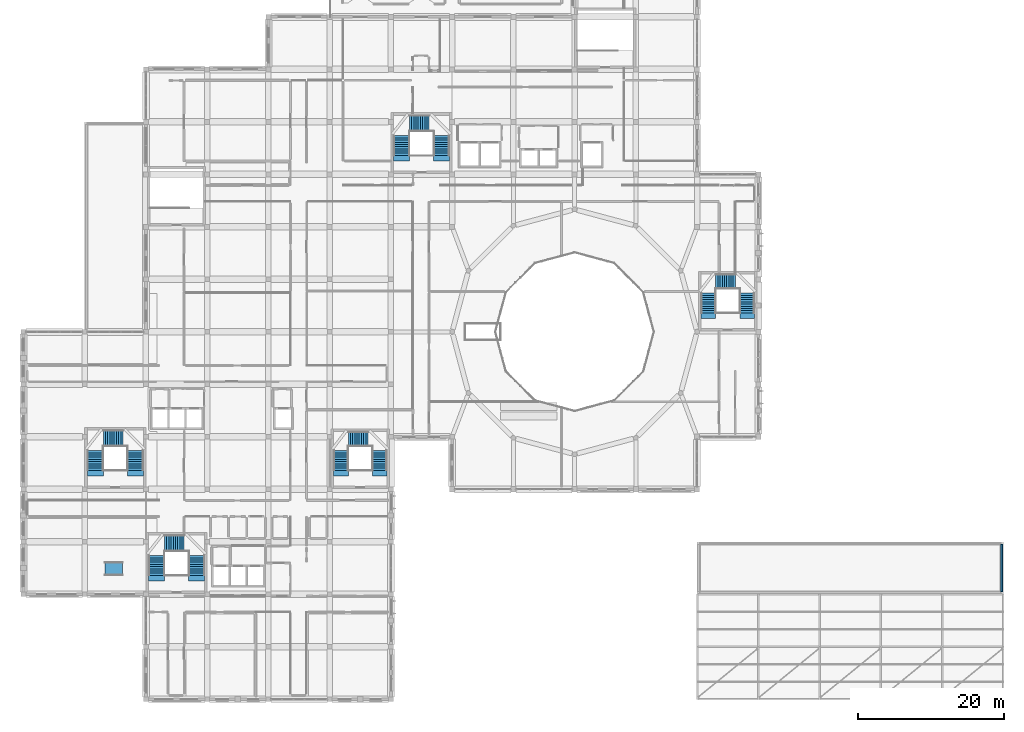
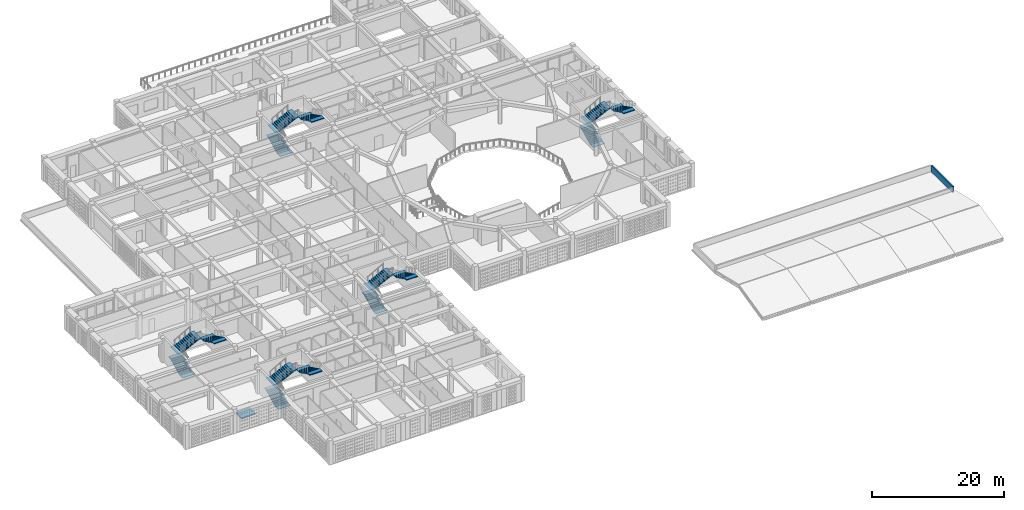
# One storey, part 51 of 79: 15 stair flights, 1 ramp flight, 1 wall, 6 elements without a shape of their own.
"""IFC4 building model written with IfcOpenShell, lengths in metres."""

from ifc_helpers import new_model, si_unit, derived_unit, direction, frame, frame_2d, origin, place, context, subcontext, project, spatial, polyline, rectangle, outline, extrude, material, layer, layer_set, type_object, element, aggregate, save


model = new_model("IFC4")

# Units and contexts
model_context = context("Model", 3, precision=1e-05, world=origin(), true_north=direction((0.0, 1.0)))
body_context = subcontext(model_context, "Body", "Model", "MODEL_VIEW")
ifc_project = project(units=[si_unit("LENGTHUNIT", "METRE"), si_unit("AREAUNIT", "SQUARE_METRE"), si_unit("VOLUMEUNIT", "CUBIC_METRE"), si_unit("PLANEANGLEUNIT", "RADIAN"), si_unit("MASSUNIT", "GRAM", prefix="KILO"), derived_unit("THERMALTRANSMITTANCEUNIT", [(si_unit("POWERUNIT", "WATT"), 1), (si_unit("LENGTHUNIT", "METRE"), -2), (si_unit("THERMODYNAMICTEMPERATUREUNIT", "KELVIN"), -1)])], contexts=[model_context])

# Site, building, storey
site_placement = place(None, origin())
site = spatial("IfcSite", under=ifc_project, at=site_placement, CompositionType="ELEMENT")
building_placement = place(site_placement, origin())
building = spatial("IfcBuilding", under=site, at=building_placement, Name="Veybourne Emporium", CompositionType="ELEMENT")
storey_placement = place(building_placement, frame((0.0, 0.0, 18.89990234375)))
storey = spatial("IfcBuildingStorey", under=building, at=storey_placement, Name="L04", CompositionType="ELEMENT", Elevation=18.89990234375)

# Wall
ifc_material_1 = material(Name="Precast concrete C40/50", Category="concrete")
ifc_layer_1 = layer(ifc_material_1, 0.239990234375)
ifc_layer_set_1 = layer_set([ifc_layer_1], Name="Precast concrete C40/50")
wall_type = type_object("IfcWallType", Name="ExtWall_PW-02", PredefinedType="PARAPET", material=ifc_layer_set_1)
wall_placement = place(storey_placement, frame((134.179931640625, 21.25, 0.0), z_axis=(0.0, 0.0, 1.0), x_axis=(0.0, -1.0, 0.0)))
element("IfcWall", 1, at=wall_placement, inside=storey, type_object=wall_type, Name="L04 roof parapet wall 001", PredefinedType="PARAPET", context=body_context, shape_type="SweptSolid", body=[
    extrude(rectangle(XDim=6.5, YDim=0.239990234375, at=frame_2d((3.25, 0.0))), origin(), (0.0, 0.0, 1.0), 1.150146484375),
])

# Stair, stair flights
ifc_material_2 = material(Name="Concrete C32/40", Category="concrete")
stair_type_1 = type_object("IfcStairType", Name="Stair_ST-05-R30", PredefinedType="TWO_QUARTER_TURN_STAIR", material=ifc_material_2)
stair_1_placement = place(storey_placement, origin())
stair_1 = element("IfcStair", 2, at=stair_1_placement, inside=storey, type_object=stair_type_1, Name="L04 stair ST-05", PredefinedType="TWO_QUARTER_TURN_STAIR")
stair_flight_type_1 = type_object("IfcStairFlightType", Name="Flight_FL-2000-R10", PredefinedType="STRAIGHT", material=ifc_material_2)
stair_flight_1_placement = place(storey_placement, frame((43.550048828125, 31.39990234375, 0.0), z_axis=(0.0, 0.0, 1.0), x_axis=(0.0, 1.0, 0.0)))
stair_flight_1 = element("IfcStairFlight", 3, at=stair_flight_1_placement, type_object=stair_flight_type_1, Name="ST-05-R30 flight 1", NumberOfRisers=10, NumberOfTreads=9, PredefinedType="STRAIGHT", RiserHeight=0.15, TreadLength=0.3, context=body_context, shape_type="SweptSolid", body=[
    extrude(outline(polyline([(-0.75, 0.0), (-0.75, 0.080078125), (-0.375, 0.080078125), (0.0, 0.080078125), (0.0, 0.14990234375), (0.300048828125, 0.14990234375), (0.300048828125, 0.300048828125), (0.60009765625, 0.300048828125), (0.60009765625, 0.449951171875), (0.89990234375, 0.449951171875), (0.89990234375, 0.60009765625), (1.199951171875, 0.60009765625), (1.199951171875, 0.75), (1.5, 0.75), (1.5, 0.89990234375), (1.800048828125, 0.89990234375), (1.800048828125, 1.050048828125), (2.10009765625, 1.050048828125), (2.10009765625, 1.199951171875), (2.39990234375, 1.199951171875), (2.39990234375, 1.35009765625), (2.699951171875, 1.35009765625), (2.699951171875, 1.5), (3.074951171875, 1.5), (3.449951171875, 1.5), (3.449951171875, 1.340087890625), (3.074951171875, 1.340087890625), (2.699951171875, 1.171142578125), (0.357666015625, 0.0), (-0.75, 0.0)])), frame((0.0, 1.0, 0.0), z_axis=(0.0, -1.0, 0.0), x_axis=(1.0, 0.0, 0.0)), (0.0, 0.0, 1.0), 2.0),
])
stair_flight_2_placement = place(storey_placement, frame((44.550048828125, 35.699951171875, 1.5), z_axis=(0.0, 0.0, 1.0), x_axis=(1.0, 0.0, 0.0)))
stair_flight_2 = element("IfcStairFlight", 4, at=stair_flight_2_placement, type_object=stair_flight_type_1, Name="ST-05-R30 flight 2", NumberOfRisers=10, NumberOfTreads=9, PredefinedType="STRAIGHT", RiserHeight=0.15, TreadLength=0.3, context=body_context, shape_type="SweptSolid", body=[
    extrude(outline(polyline([(-0.75, 0.0), (-0.75, 0.080078125), (-0.375, 0.080078125), (0.0, 0.080078125), (0.0, 0.14990234375), (0.300048828125, 0.14990234375), (0.300048828125, 0.300048828125), (0.60009765625, 0.300048828125), (0.60009765625, 0.449951171875), (0.89990234375, 0.449951171875), (0.89990234375, 0.60009765625), (1.199951171875, 0.60009765625), (1.199951171875, 0.75), (1.5, 0.75), (1.5, 0.89990234375), (1.800048828125, 0.89990234375), (1.800048828125, 1.050048828125), (2.10009765625, 1.050048828125), (2.10009765625, 1.199951171875), (2.39990234375, 1.199951171875), (2.39990234375, 1.35009765625), (2.699951171875, 1.35009765625), (2.699951171875, 1.5), (3.074951171875, 1.5), (3.449951171875, 1.5), (3.449951171875, 1.340087890625), (3.074951171875, 1.340087890625), (2.699951171875, 1.171142578125), (0.357666015625, 0.0), (-0.75, 0.0)])), frame((0.0, 1.0, 0.0), z_axis=(0.0, -1.0, 0.0), x_axis=(1.0, 0.0, 0.0)), (0.0, 0.0, 1.0), 2.0),
])
stair_flight_3_placement = place(storey_placement, frame((48.85009765625, 34.10009765625, 3.0), z_axis=(0.0, 0.0, 1.0), x_axis=(0.0, -1.0, 0.0)))
stair_flight_3 = element("IfcStairFlight", 5, at=stair_flight_3_placement, type_object=stair_flight_type_1, Name="ST-05-R30 flight 3", NumberOfRisers=10, NumberOfTreads=9, PredefinedType="STRAIGHT", RiserHeight=0.15, TreadLength=0.3, context=body_context, shape_type="SweptSolid", body=[
    extrude(outline(polyline([(-0.75, 0.0), (-0.75, 0.080078125), (-0.375, 0.080078125), (0.0, 0.080078125), (0.0, 0.14990234375), (0.300048828125, 0.14990234375), (0.300048828125, 0.300048828125), (0.60009765625, 0.300048828125), (0.60009765625, 0.449951171875), (0.89990234375, 0.449951171875), (0.89990234375, 0.60009765625), (1.199951171875, 0.60009765625), (1.199951171875, 0.75), (1.5, 0.75), (1.5, 0.89990234375), (1.800048828125, 0.89990234375), (1.800048828125, 1.050048828125), (2.10009765625, 1.050048828125), (2.10009765625, 1.199951171875), (2.39990234375, 1.199951171875), (2.39990234375, 1.35009765625), (2.699951171875, 1.35009765625), (2.699951171875, 1.5), (3.074951171875, 1.5), (3.449951171875, 1.5), (3.449951171875, 1.340087890625), (3.074951171875, 1.340087890625), (2.699951171875, 1.171142578125), (0.357666015625, 0.0), (-0.75, 0.0)])), frame((0.0, 1.0, 0.0), z_axis=(0.0, -1.0, 0.0), x_axis=(1.0, 0.0, 0.0)), (0.0, 0.0, 1.0), 2.0),
])
aggregate(stair_1, [stair_flight_1, stair_flight_2, stair_flight_3])

stair_type_2 = type_object("IfcStairType", Name="Stair_ST-07-R30", PredefinedType="TWO_QUARTER_TURN_STAIR", material=ifc_material_2)
stair_2_placement = place(storey_placement, origin())
stair_2 = element("IfcStair", 6, at=stair_2_placement, inside=storey, type_object=stair_type_2, Name="L04 stair ST-07", PredefinedType="TWO_QUARTER_TURN_STAIR")
stair_flight_4_placement = place(storey_placement, frame((93.949951171875, 53.0, 0.0), z_axis=(0.0, 0.0, 1.0), x_axis=(0.0, 1.0, 0.0)))
stair_flight_4 = element("IfcStairFlight", 7, at=stair_flight_4_placement, type_object=stair_flight_type_1, Name="ST-07-R30 flight 1", NumberOfRisers=10, NumberOfTreads=9, PredefinedType="STRAIGHT", RiserHeight=0.15, TreadLength=0.3, context=body_context, shape_type="SweptSolid", body=[
    extrude(outline(polyline([(-0.75, 0.0), (-0.75, 0.080078125), (-0.375, 0.080078125), (0.0, 0.080078125), (0.0, 0.14990234375), (0.300048828125, 0.14990234375), (0.300048828125, 0.300048828125), (0.60009765625, 0.300048828125), (0.60009765625, 0.449951171875), (0.89990234375, 0.449951171875), (0.89990234375, 0.60009765625), (1.199951171875, 0.60009765625), (1.199951171875, 0.75), (1.5, 0.75), (1.5, 0.89990234375), (1.800048828125, 0.89990234375), (1.800048828125, 1.050048828125), (2.10009765625, 1.050048828125), (2.10009765625, 1.199951171875), (2.39990234375, 1.199951171875), (2.39990234375, 1.35009765625), (2.699951171875, 1.35009765625), (2.699951171875, 1.5), (3.074951171875, 1.5), (3.449951171875, 1.5), (3.449951171875, 1.340087890625), (3.074951171875, 1.340087890625), (2.699951171875, 1.171142578125), (0.357666015625, 0.0), (-0.75, 0.0)])), frame((0.0, 1.0, 0.0), z_axis=(0.0, -1.0, 0.0), x_axis=(1.0, 0.0, 0.0)), (0.0, 0.0, 1.0), 2.0),
])
stair_flight_5_placement = place(storey_placement, frame((94.949951171875, 57.300048828125, 1.5), z_axis=(0.0, 0.0, 1.0), x_axis=(1.0, 0.0, 0.0)))
stair_flight_5 = element("IfcStairFlight", 8, at=stair_flight_5_placement, type_object=stair_flight_type_1, Name="ST-07-R30 flight 2", NumberOfRisers=10, NumberOfTreads=9, PredefinedType="STRAIGHT", RiserHeight=0.15, TreadLength=0.3, context=body_context, shape_type="SweptSolid", body=[
    extrude(outline(polyline([(-0.75, 0.0), (-0.75, 0.080078125), (-0.375, 0.080078125), (0.0, 0.080078125), (0.0, 0.14990234375), (0.300048828125, 0.14990234375), (0.300048828125, 0.300048828125), (0.60009765625, 0.300048828125), (0.60009765625, 0.449951171875), (0.89990234375, 0.449951171875), (0.89990234375, 0.60009765625), (1.199951171875, 0.60009765625), (1.199951171875, 0.75), (1.5, 0.75), (1.5, 0.89990234375), (1.800048828125, 0.89990234375), (1.800048828125, 1.050048828125), (2.10009765625, 1.050048828125), (2.10009765625, 1.199951171875), (2.39990234375, 1.199951171875), (2.39990234375, 1.35009765625), (2.699951171875, 1.35009765625), (2.699951171875, 1.5), (3.074951171875, 1.5), (3.449951171875, 1.5), (3.449951171875, 1.340087890625), (3.074951171875, 1.340087890625), (2.699951171875, 1.171142578125), (0.357666015625, 0.0), (-0.75, 0.0)])), frame((0.0, 1.0, 0.0), z_axis=(0.0, -1.0, 0.0), x_axis=(1.0, 0.0, 0.0)), (0.0, 0.0, 1.0), 2.0),
])
stair_flight_6_placement = place(storey_placement, frame((99.25, 55.699951171875, 3.0), z_axis=(0.0, 0.0, 1.0), x_axis=(0.0, -1.0, 0.0)))
stair_flight_6 = element("IfcStairFlight", 9, at=stair_flight_6_placement, type_object=stair_flight_type_1, Name="ST-07-R30 flight 3", NumberOfRisers=10, NumberOfTreads=9, PredefinedType="STRAIGHT", RiserHeight=0.15, TreadLength=0.3, context=body_context, shape_type="SweptSolid", body=[
    extrude(outline(polyline([(-0.75, 0.0), (-0.75, 0.080078125), (-0.375, 0.080078125), (0.0, 0.080078125), (0.0, 0.14990234375), (0.300048828125, 0.14990234375), (0.300048828125, 0.300048828125), (0.60009765625, 0.300048828125), (0.60009765625, 0.449951171875), (0.89990234375, 0.449951171875), (0.89990234375, 0.60009765625), (1.199951171875, 0.60009765625), (1.199951171875, 0.75), (1.5, 0.75), (1.5, 0.89990234375), (1.800048828125, 0.89990234375), (1.800048828125, 1.050048828125), (2.10009765625, 1.050048828125), (2.10009765625, 1.199951171875), (2.39990234375, 1.199951171875), (2.39990234375, 1.35009765625), (2.699951171875, 1.35009765625), (2.699951171875, 1.5), (3.074951171875, 1.5), (3.449951171875, 1.5), (3.449951171875, 1.340087890625), (3.074951171875, 1.340087890625), (2.699951171875, 1.171142578125), (0.357666015625, 0.0), (-0.75, 0.0)])), frame((0.0, 1.0, 0.0), z_axis=(0.0, -1.0, 0.0), x_axis=(1.0, 0.0, 0.0)), (0.0, 0.0, 1.0), 2.0),
])
aggregate(stair_2, [stair_flight_4, stair_flight_5, stair_flight_6])

stair_type_3 = type_object("IfcStairType", Name="Stair_ST-01-R30", PredefinedType="TWO_QUARTER_TURN_STAIR", material=ifc_material_2)
stair_3_placement = place(storey_placement, origin())
stair_3 = element("IfcStair", 10, at=stair_3_placement, inside=storey, type_object=stair_type_3, Name="L04 stair ST-01", PredefinedType="TWO_QUARTER_TURN_STAIR")
stair_flight_type_2 = type_object("IfcStairFlightType", Name="Flight_FL-2200-R10", PredefinedType="STRAIGHT", material=ifc_material_2)
stair_flight_7_placement = place(storey_placement, frame((18.25, 17.0, 0.0), z_axis=(0.0, 0.0, 1.0), x_axis=(0.0, 1.0, 0.0)))
stair_flight_7 = element("IfcStairFlight", 11, at=stair_flight_7_placement, type_object=stair_flight_type_2, Name="ST-01-R30 flight 1", NumberOfRisers=10, NumberOfTreads=9, PredefinedType="STRAIGHT", RiserHeight=0.15, TreadLength=0.3, context=body_context, shape_type="SweptSolid", body=[
    extrude(outline(polyline([(-0.75, 0.0), (-0.75, 0.080078125), (-0.375, 0.080078125), (0.0, 0.080078125), (0.0, 0.14990234375), (0.300048828125, 0.14990234375), (0.300048828125, 0.300048828125), (0.60009765625, 0.300048828125), (0.60009765625, 0.449951171875), (0.89990234375, 0.449951171875), (0.89990234375, 0.60009765625), (1.199951171875, 0.60009765625), (1.199951171875, 0.75), (1.5, 0.75), (1.5, 0.89990234375), (1.800048828125, 0.89990234375), (1.800048828125, 1.050048828125), (2.10009765625, 1.050048828125), (2.10009765625, 1.199951171875), (2.39990234375, 1.199951171875), (2.39990234375, 1.35009765625), (2.699951171875, 1.35009765625), (2.699951171875, 1.5), (3.074951171875, 1.5), (3.449951171875, 1.5), (3.449951171875, 1.340087890625), (3.074951171875, 1.340087890625), (2.699951171875, 1.171142578125), (0.357666015625, 0.0), (-0.75, 0.0)])), frame((0.0, 1.10009765625, 0.0), z_axis=(0.0, -1.0, 0.0), x_axis=(1.0, 0.0, 0.0)), (0.0, 0.0, 1.0), 2.199951171875),
])
stair_flight_8_placement = place(storey_placement, frame((19.35009765625, 21.39990234375, 1.5), z_axis=(0.0, 0.0, 1.0), x_axis=(1.0, 0.0, 0.0)))
stair_flight_8 = element("IfcStairFlight", 12, at=stair_flight_8_placement, type_object=stair_flight_type_2, Name="ST-01-R30 flight 2", NumberOfRisers=10, NumberOfTreads=9, PredefinedType="STRAIGHT", RiserHeight=0.15, TreadLength=0.3, context=body_context, shape_type="SweptSolid", body=[
    extrude(outline(polyline([(-0.75, 0.0), (-0.75, 0.080078125), (-0.375, 0.080078125), (0.0, 0.080078125), (0.0, 0.14990234375), (0.300048828125, 0.14990234375), (0.300048828125, 0.300048828125), (0.60009765625, 0.300048828125), (0.60009765625, 0.449951171875), (0.89990234375, 0.449951171875), (0.89990234375, 0.60009765625), (1.199951171875, 0.60009765625), (1.199951171875, 0.75), (1.5, 0.75), (1.5, 0.89990234375), (1.800048828125, 0.89990234375), (1.800048828125, 1.050048828125), (2.10009765625, 1.050048828125), (2.10009765625, 1.199951171875), (2.39990234375, 1.199951171875), (2.39990234375, 1.35009765625), (2.699951171875, 1.35009765625), (2.699951171875, 1.5), (3.074951171875, 1.5), (3.449951171875, 1.5), (3.449951171875, 1.340087890625), (3.074951171875, 1.340087890625), (2.699951171875, 1.171142578125), (0.357666015625, 0.0), (-0.75, 0.0)])), frame((0.0, 1.10009765625, 0.0), z_axis=(0.0, -1.0, 0.0), x_axis=(1.0, 0.0, 0.0)), (0.0, 0.0, 1.0), 2.199951171875),
])
stair_flight_9_placement = place(storey_placement, frame((23.75, 19.699951171875, 3.0), z_axis=(0.0, 0.0, 1.0), x_axis=(0.0, -1.0, 0.0)))
stair_flight_9 = element("IfcStairFlight", 13, at=stair_flight_9_placement, type_object=stair_flight_type_2, Name="ST-01-R30 flight 3", NumberOfRisers=10, NumberOfTreads=9, PredefinedType="STRAIGHT", RiserHeight=0.15, TreadLength=0.3, context=body_context, shape_type="SweptSolid", body=[
    extrude(outline(polyline([(-0.75, 0.0), (-0.75, 0.080078125), (-0.375, 0.080078125), (0.0, 0.080078125), (0.0, 0.14990234375), (0.300048828125, 0.14990234375), (0.300048828125, 0.300048828125), (0.60009765625, 0.300048828125), (0.60009765625, 0.449951171875), (0.89990234375, 0.449951171875), (0.89990234375, 0.60009765625), (1.199951171875, 0.60009765625), (1.199951171875, 0.75), (1.5, 0.75), (1.5, 0.89990234375), (1.800048828125, 0.89990234375), (1.800048828125, 1.050048828125), (2.10009765625, 1.050048828125), (2.10009765625, 1.199951171875), (2.39990234375, 1.199951171875), (2.39990234375, 1.35009765625), (2.699951171875, 1.35009765625), (2.699951171875, 1.5), (3.074951171875, 1.5), (3.449951171875, 1.5), (3.449951171875, 1.340087890625), (3.074951171875, 1.340087890625), (2.699951171875, 1.171142578125), (0.357666015625, 0.0), (-0.75, 0.0)])), frame((0.0, 1.10009765625, 0.0), z_axis=(0.0, -1.0, 0.0), x_axis=(1.0, 0.0, 0.0)), (0.0, 0.0, 1.0), 2.199951171875),
])
aggregate(stair_3, [stair_flight_7, stair_flight_8, stair_flight_9])

stair_type_4 = type_object("IfcStairType", Name="Stair_ST-02-R30", PredefinedType="TWO_QUARTER_TURN_STAIR", material=ifc_material_2)
stair_4_placement = place(storey_placement, origin())
stair_4 = element("IfcStair", 14, at=stair_4_placement, inside=storey, type_object=stair_type_4, Name="L04 stair ST-02", PredefinedType="TWO_QUARTER_TURN_STAIR")
stair_flight_10_placement = place(storey_placement, frame((9.85009765625, 31.39990234375, 0.0), z_axis=(0.0, 0.0, 1.0), x_axis=(0.0, 1.0, 0.0)))
stair_flight_10 = element("IfcStairFlight", 15, at=stair_flight_10_placement, type_object=stair_flight_type_2, Name="ST-02-R30 flight 1", NumberOfRisers=10, NumberOfTreads=9, PredefinedType="STRAIGHT", RiserHeight=0.15, TreadLength=0.3, context=body_context, shape_type="SweptSolid", body=[
    extrude(outline(polyline([(-0.75, 0.0), (-0.75, 0.080078125), (-0.375, 0.080078125), (0.0, 0.080078125), (0.0, 0.14990234375), (0.300048828125, 0.14990234375), (0.300048828125, 0.300048828125), (0.60009765625, 0.300048828125), (0.60009765625, 0.449951171875), (0.89990234375, 0.449951171875), (0.89990234375, 0.60009765625), (1.199951171875, 0.60009765625), (1.199951171875, 0.75), (1.5, 0.75), (1.5, 0.89990234375), (1.800048828125, 0.89990234375), (1.800048828125, 1.050048828125), (2.10009765625, 1.050048828125), (2.10009765625, 1.199951171875), (2.39990234375, 1.199951171875), (2.39990234375, 1.35009765625), (2.699951171875, 1.35009765625), (2.699951171875, 1.5), (3.074951171875, 1.5), (3.449951171875, 1.5), (3.449951171875, 1.340087890625), (3.074951171875, 1.340087890625), (2.699951171875, 1.171142578125), (0.357666015625, 0.0), (-0.75, 0.0)])), frame((0.0, 1.10009765625, 0.0), z_axis=(0.0, -1.0, 0.0), x_axis=(1.0, 0.0, 0.0)), (0.0, 0.0, 1.0), 2.199951171875),
])
stair_flight_11_placement = place(storey_placement, frame((10.949951171875, 35.800048828125, 1.5), z_axis=(0.0, 0.0, 1.0), x_axis=(1.0, 0.0, 0.0)))
stair_flight_11 = element("IfcStairFlight", 16, at=stair_flight_11_placement, type_object=stair_flight_type_2, Name="ST-02-R30 flight 2", NumberOfRisers=10, NumberOfTreads=9, PredefinedType="STRAIGHT", RiserHeight=0.15, TreadLength=0.3, context=body_context, shape_type="SweptSolid", body=[
    extrude(outline(polyline([(-0.75, 0.0), (-0.75, 0.080078125), (-0.375, 0.080078125), (0.0, 0.080078125), (0.0, 0.14990234375), (0.300048828125, 0.14990234375), (0.300048828125, 0.300048828125), (0.60009765625, 0.300048828125), (0.60009765625, 0.449951171875), (0.89990234375, 0.449951171875), (0.89990234375, 0.60009765625), (1.199951171875, 0.60009765625), (1.199951171875, 0.75), (1.5, 0.75), (1.5, 0.89990234375), (1.800048828125, 0.89990234375), (1.800048828125, 1.050048828125), (2.10009765625, 1.050048828125), (2.10009765625, 1.199951171875), (2.39990234375, 1.199951171875), (2.39990234375, 1.35009765625), (2.699951171875, 1.35009765625), (2.699951171875, 1.5), (3.074951171875, 1.5), (3.449951171875, 1.5), (3.449951171875, 1.340087890625), (3.074951171875, 1.340087890625), (2.699951171875, 1.171142578125), (0.357666015625, 0.0), (-0.75, 0.0)])), frame((0.0, 1.10009765625, 0.0), z_axis=(0.0, -1.0, 0.0), x_axis=(1.0, 0.0, 0.0)), (0.0, 0.0, 1.0), 2.199951171875),
])
stair_flight_12_placement = place(storey_placement, frame((15.35009765625, 34.10009765625, 3.0), z_axis=(0.0, 0.0, 1.0), x_axis=(0.0, -1.0, 0.0)))
stair_flight_12 = element("IfcStairFlight", 17, at=stair_flight_12_placement, type_object=stair_flight_type_2, Name="ST-02-R30 flight 3", NumberOfRisers=10, NumberOfTreads=9, PredefinedType="STRAIGHT", RiserHeight=0.15, TreadLength=0.3, context=body_context, shape_type="SweptSolid", body=[
    extrude(outline(polyline([(-0.75, 0.0), (-0.75, 0.080078125), (-0.375, 0.080078125), (0.0, 0.080078125), (0.0, 0.14990234375), (0.300048828125, 0.14990234375), (0.300048828125, 0.300048828125), (0.60009765625, 0.300048828125), (0.60009765625, 0.449951171875), (0.89990234375, 0.449951171875), (0.89990234375, 0.60009765625), (1.199951171875, 0.60009765625), (1.199951171875, 0.75), (1.5, 0.75), (1.5, 0.89990234375), (1.800048828125, 0.89990234375), (1.800048828125, 1.050048828125), (2.10009765625, 1.050048828125), (2.10009765625, 1.199951171875), (2.39990234375, 1.199951171875), (2.39990234375, 1.35009765625), (2.699951171875, 1.35009765625), (2.699951171875, 1.5), (3.074951171875, 1.5), (3.449951171875, 1.5), (3.449951171875, 1.340087890625), (3.074951171875, 1.340087890625), (2.699951171875, 1.171142578125), (0.357666015625, 0.0), (-0.75, 0.0)])), frame((0.0, 1.10009765625, 0.0), z_axis=(0.0, -1.0, 0.0), x_axis=(1.0, 0.0, 0.0)), (0.0, 0.0, 1.0), 2.199951171875),
])
aggregate(stair_4, [stair_flight_10, stair_flight_11, stair_flight_12])

stair_type_5 = type_object("IfcStairType", Name="Stair_ST-03-R30", PredefinedType="TWO_QUARTER_TURN_STAIR", material=ifc_material_2)
stair_5_placement = place(storey_placement, origin())
stair_5 = element("IfcStair", 18, at=stair_5_placement, inside=storey, type_object=stair_type_5, Name="L04 stair ST-03", PredefinedType="TWO_QUARTER_TURN_STAIR")
stair_flight_13_placement = place(storey_placement, frame((51.85009765625, 74.60009765625, 0.0), z_axis=(0.0, 0.0, 1.0), x_axis=(0.0, 1.0, 0.0)))
stair_flight_13 = element("IfcStairFlight", 19, at=stair_flight_13_placement, type_object=stair_flight_type_2, Name="ST-03-R30 flight 1", NumberOfRisers=10, NumberOfTreads=9, PredefinedType="STRAIGHT", RiserHeight=0.15, TreadLength=0.3, context=body_context, shape_type="SweptSolid", body=[
    extrude(outline(polyline([(-0.75, 0.0), (-0.75, 0.080078125), (-0.375, 0.080078125), (0.0, 0.080078125), (0.0, 0.14990234375), (0.300048828125, 0.14990234375), (0.300048828125, 0.300048828125), (0.60009765625, 0.300048828125), (0.60009765625, 0.449951171875), (0.89990234375, 0.449951171875), (0.89990234375, 0.60009765625), (1.199951171875, 0.60009765625), (1.199951171875, 0.75), (1.5, 0.75), (1.5, 0.89990234375), (1.800048828125, 0.89990234375), (1.800048828125, 1.050048828125), (2.10009765625, 1.050048828125), (2.10009765625, 1.199951171875), (2.39990234375, 1.199951171875), (2.39990234375, 1.35009765625), (2.699951171875, 1.35009765625), (2.699951171875, 1.5), (3.074951171875, 1.5), (3.449951171875, 1.5), (3.449951171875, 1.340087890625), (3.074951171875, 1.340087890625), (2.699951171875, 1.171142578125), (0.357666015625, 0.0), (-0.75, 0.0)])), frame((0.0, 1.10009765625, 0.0), z_axis=(0.0, -1.0, 0.0), x_axis=(1.0, 0.0, 0.0)), (0.0, 0.0, 1.0), 2.199951171875),
])
stair_flight_14_placement = place(storey_placement, frame((52.949951171875, 79.0, 1.5), z_axis=(0.0, 0.0, 1.0), x_axis=(1.0, 0.0, 0.0)))
stair_flight_14 = element("IfcStairFlight", 20, at=stair_flight_14_placement, type_object=stair_flight_type_2, Name="ST-03-R30 flight 2", NumberOfRisers=10, NumberOfTreads=9, PredefinedType="STRAIGHT", RiserHeight=0.15, TreadLength=0.3, context=body_context, shape_type="SweptSolid", body=[
    extrude(outline(polyline([(-0.75, 0.0), (-0.75, 0.080078125), (-0.375, 0.080078125), (0.0, 0.080078125), (0.0, 0.14990234375), (0.300048828125, 0.14990234375), (0.300048828125, 0.300048828125), (0.60009765625, 0.300048828125), (0.60009765625, 0.449951171875), (0.89990234375, 0.449951171875), (0.89990234375, 0.60009765625), (1.199951171875, 0.60009765625), (1.199951171875, 0.75), (1.5, 0.75), (1.5, 0.89990234375), (1.800048828125, 0.89990234375), (1.800048828125, 1.050048828125), (2.10009765625, 1.050048828125), (2.10009765625, 1.199951171875), (2.39990234375, 1.199951171875), (2.39990234375, 1.35009765625), (2.699951171875, 1.35009765625), (2.699951171875, 1.5), (3.074951171875, 1.5), (3.449951171875, 1.5), (3.449951171875, 1.340087890625), (3.074951171875, 1.340087890625), (2.699951171875, 1.171142578125), (0.357666015625, 0.0), (-0.75, 0.0)])), frame((0.0, 1.10009765625, 0.0), z_axis=(0.0, -1.0, 0.0), x_axis=(1.0, 0.0, 0.0)), (0.0, 0.0, 1.0), 2.199951171875),
])
stair_flight_15_placement = place(storey_placement, frame((57.35009765625, 77.300048828125, 3.0), z_axis=(0.0, 0.0, 1.0), x_axis=(0.0, -1.0, 0.0)))
stair_flight_15 = element("IfcStairFlight", 21, at=stair_flight_15_placement, type_object=stair_flight_type_2, Name="ST-03-R30 flight 3", NumberOfRisers=10, NumberOfTreads=9, PredefinedType="STRAIGHT", RiserHeight=0.15, TreadLength=0.3, context=body_context, shape_type="SweptSolid", body=[
    extrude(outline(polyline([(-0.75, 0.0), (-0.75, 0.080078125), (-0.375, 0.080078125), (0.0, 0.080078125), (0.0, 0.14990234375), (0.300048828125, 0.14990234375), (0.300048828125, 0.300048828125), (0.60009765625, 0.300048828125), (0.60009765625, 0.449951171875), (0.89990234375, 0.449951171875), (0.89990234375, 0.60009765625), (1.199951171875, 0.60009765625), (1.199951171875, 0.75), (1.5, 0.75), (1.5, 0.89990234375), (1.800048828125, 0.89990234375), (1.800048828125, 1.050048828125), (2.10009765625, 1.050048828125), (2.10009765625, 1.199951171875), (2.39990234375, 1.199951171875), (2.39990234375, 1.35009765625), (2.699951171875, 1.35009765625), (2.699951171875, 1.5), (3.074951171875, 1.5), (3.449951171875, 1.5), (3.449951171875, 1.340087890625), (3.074951171875, 1.340087890625), (2.699951171875, 1.171142578125), (0.357666015625, 0.0), (-0.75, 0.0)])), frame((0.0, 1.10009765625, 0.0), z_axis=(0.0, -1.0, 0.0), x_axis=(1.0, 0.0, 0.0)), (0.0, 0.0, 1.0), 2.199951171875),
])
aggregate(stair_5, [stair_flight_13, stair_flight_14, stair_flight_15])

# Ramp, ramp flight
ramp_type = type_object("IfcRampType", Name="Ramp_RMP-01", PredefinedType="STRAIGHT_RUN_RAMP", material=ifc_material_2)
ramp_placement = place(storey_placement, origin())
ramp = element("IfcRamp", 22, at=ramp_placement, inside=storey, type_object=ramp_type, Name="Step-free threshold transition ramp RMP-06", PredefinedType="STRAIGHT_RUN_RAMP")
ifc_layer_2 = layer(ifc_material_2, 0.179931640625)
ifc_layer_set_2 = layer_set([ifc_layer_2], Name="Concrete C32/40")
ramp_flight_type = type_object("IfcRampFlightType", Name="RampFlight_RFL-01", PredefinedType="STRAIGHT", material=ifc_layer_set_2)
ramp_flight_placement = place(storey_placement, frame((11.199951171875, 17.0, 0.0), z_axis=(-0.049983219245, 0.0, 0.998750057719), x_axis=(0.998750057719, 0.0, 0.049983219245)))
ramp_flight = element("IfcRampFlight", 23, at=ramp_flight_placement, type_object=ramp_flight_type, Name="Ramp RMP-06 solid flight", PredefinedType="STRAIGHT", context=body_context, shape_type="SweptSolid", body=[
    extrude(outline(polyline([(0.0, 0.0), (2.4031502835217324, 0.0), (2.4031502835217324, 1.800048828125), (0.0, 1.800048828125), (0.0, 0.0)])), origin(), (0.0, 0.0, -1.0), 0.179931640625),
])
aggregate(ramp, [ramp_flight])

save(model, "model.ifc")
